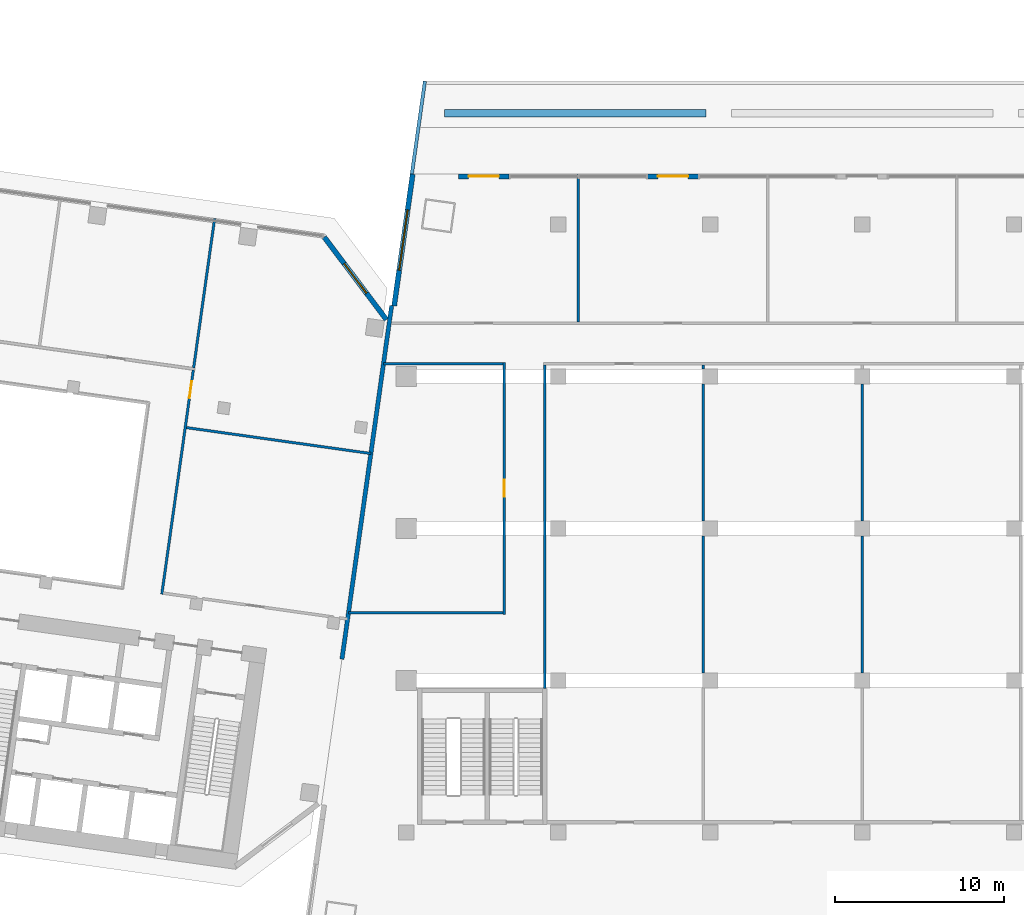
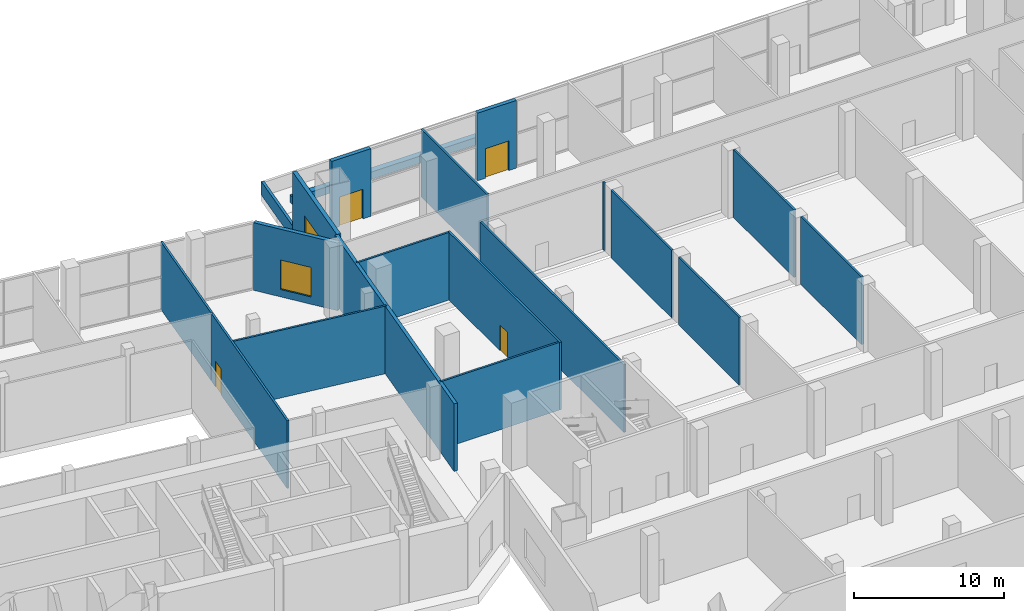
# One storey, part 13 of 24: 20 walls, 4 doors, 2 windows, 6 openings.
"""IFC4 building model written with IfcOpenShell, lengths in metres."""

from ifc_helpers import new_model, si_unit, direction, frame, frame_2d, origin, place, context, subcontext, project, spatial, rectangle, extrude, material, layer, layer_set, type_object, element, fill, save


model = new_model("IFC4")

# Units and contexts
model_context = context("Model", 3, precision=1e-05, world=origin(), true_north=direction((0.0, 1.0)))
body_context = subcontext(model_context, "Body", "Model", "MODEL_VIEW")
ifc_project = project(units=[si_unit("LENGTHUNIT", "METRE"), si_unit("AREAUNIT", "SQUARE_METRE"), si_unit("VOLUMEUNIT", "CUBIC_METRE"), si_unit("PLANEANGLEUNIT", "RADIAN"), si_unit("MASSUNIT", "GRAM", prefix="KILO")], contexts=[model_context])

# Site, building, storey
site_placement = place(None, origin())
site = spatial("IfcSite", under=ifc_project, at=site_placement, CompositionType="ELEMENT")
building_placement = place(site_placement, origin())
building = spatial("IfcBuilding", under=site, at=building_placement, Name="Mirante Cascada Hotel Towers", CompositionType="ELEMENT")
storey_placement = place(building_placement, frame((0.0, 0.0, 17.5)))
storey = spatial("IfcBuildingStorey", under=building, at=storey_placement, Name="L02", CompositionType="ELEMENT", Elevation=17.5)

# Walls
ifc_material_1 = material(Name="Masonry block", Category="masonry")
ifc_layer_1 = layer(ifc_material_1, 0.15)
ifc_layer_set_1 = layer_set([ifc_layer_1], Name="Corridor wall 150 block")
wall_type_1 = type_object("IfcWallType", Name="Corridor wall 150 block", PredefinedType="PARTITIONING", material=ifc_layer_set_1)
wall_1_placement = place(storey_placement, frame((-30.4216, -5.0, 0.0), z_axis=(0.0, 0.0, 1.0), x_axis=(1.0, 0.0, 0.0)))
element("IfcWall", 1, at=wall_1_placement, inside=storey, type_object=wall_type_1, Name="Corridor wall P L02", PredefinedType="PARTITIONING", context=body_context, shape_type="SweptSolid", body=[
    extrude(rectangle(XDim=9.1466, YDim=0.15, at=frame_2d((4.5733, 0.0))), origin(), (0.0, 0.0, 1.0), 5.5),
])
wall_2_placement = place(storey_placement, frame((-28.3486, 9.75, 0.0), z_axis=(0.0, 0.0, 1.0), x_axis=(1.0, 0.0, 0.0)))
element("IfcWall", 2, at=wall_2_placement, inside=storey, type_object=wall_type_1, Name="Corridor wall P L02", PredefinedType="PARTITIONING", context=body_context, shape_type="SweptSolid", body=[
    extrude(rectangle(XDim=7.0836, YDim=0.15, at=frame_2d((3.5418, 0.0))), origin(), (0.0, 0.0, 1.0), 5.5),
])
wall_3_placement = place(storey_placement, frame((-18.8, -9.475, 0.0), z_axis=(0.0, 0.0, 1.0), x_axis=(0.0, 1.0, 0.0)))
element("IfcWall", 3, at=wall_3_placement, inside=storey, type_object=wall_type_1, Name="Corridor wall P L02", PredefinedType="PARTITIONING", context=body_context, shape_type="SweptSolid", body=[
    extrude(rectangle(XDim=19.15, YDim=0.15, at=frame_2d((9.575, 0.0))), origin(), (0.0, 0.0, 1.0), 5.5),
])

# Wall, opening, door
wall_4_placement = place(storey_placement, frame((-21.2, -5.085, 0.0), z_axis=(0.0, 0.0, 1.0), x_axis=(0.0, 1.0, 0.0)))
wall_4 = element("IfcWall", 4, at=wall_4_placement, inside=storey, type_object=wall_type_1, Name="Corridor wall P L02", PredefinedType="PARTITIONING", context=body_context, shape_type="SweptSolid", body=[
    extrude(rectangle(XDim=14.91, YDim=0.15, at=frame_2d((7.455, 0.0))), origin(), (0.0, 0.0, 1.0), 5.5),
])
opening_1_placement = place(wall_4_placement, frame((6.96, 0.0, 0.0)))
opening_1 = element("IfcOpeningElement", 5, at=opening_1_placement, cuts=wall_4, Name="Opening DP-L02-11", PredefinedType="OPENING", context=body_context, shape_type="SweptSolid", body=[
    extrude(rectangle(XDim=1.0, YDim=2.1, at=frame_2d((0.5, 1.05))), frame((0.0, 0.075, 0.0), z_axis=(0.0, -1.0, 0.0), x_axis=(1.0, 0.0, 0.0)), (0.0, 0.0, 1.0), 0.15),
])
ifc_material_2 = material(Name="Timber door leaf", Category="wood")
door_type_1 = type_object("IfcDoorType", Name="Single door 1000x2100", OperationType="NOTDEFINED", PredefinedType="DOOR", material=ifc_material_2)
door_1_placement = place(opening_1_placement, origin())
door_1 = element("IfcDoor", 6, at=door_1_placement, inside=storey, type_object=door_type_1, Name="Door DP-L02-11", OperationType="SINGLE_SWING_LEFT", OverallHeight=2.1, OverallWidth=1.0, PredefinedType="DOOR", context=body_context, shape_type="SweptSolid", body=[
    extrude(rectangle(XDim=1.0, YDim=2.1, at=frame_2d((0.5, 1.05))), frame((0.0, 0.025, 0.0), z_axis=(0.0, -1.0, 0.0), x_axis=(1.0, 0.0, 0.0)), (0.0, 0.0, 1.0), 0.05),
])
fill(opening_1, door_1)

wall_5_placement = place(storey_placement, frame((-41.4756, -3.8964, 0.0), z_axis=(0.0, 0.0, 1.0), x_axis=(0.1391716, 0.9902683, 0.0)))
wall_5 = element("IfcWall", 7, at=wall_5_placement, inside=storey, type_object=wall_type_1, Name="Corridor wall T1 L02", PredefinedType="PARTITIONING", context=body_context, shape_type="SweptSolid", body=[
    extrude(rectangle(XDim=13.4, YDim=0.15, at=frame_2d((6.7, 0.0))), origin(), (0.0, 0.0, 1.0), 5.5),
])
opening_2_placement = place(wall_5_placement, frame((11.7325, 0.0, 0.0)))
opening_2 = element("IfcOpeningElement", 8, at=opening_2_placement, cuts=wall_5, Name="Opening DP1-L02-02", PredefinedType="OPENING", context=body_context, shape_type="SweptSolid", body=[
    extrude(rectangle(XDim=1.0, YDim=2.1, at=frame_2d((0.5, 1.05))), frame((0.0, 0.075, 0.0), z_axis=(0.0, -1.0, 0.0), x_axis=(1.0, 0.0, 0.0)), (0.0, 0.0, 1.0), 0.15),
])
door_2_placement = place(opening_2_placement, frame((1.0, 0.0, 0.0), z_axis=(0.0, 0.0, 1.0), x_axis=(-1.0, 0.0, 0.0)))
door_2 = element("IfcDoor", 9, at=door_2_placement, inside=storey, type_object=door_type_1, Name="Door DP1-L02-02", OperationType="SINGLE_SWING_RIGHT", OverallHeight=2.1, OverallWidth=1.0, PredefinedType="DOOR", context=body_context, shape_type="SweptSolid", body=[
    extrude(rectangle(XDim=1.0, YDim=2.1, at=frame_2d((0.5, 1.05))), frame((0.0, 0.025, 0.0), z_axis=(0.0, -1.0, 0.0), x_axis=(1.0, 0.0, 0.0)), (0.0, 0.0, 1.0), 0.05),
])
fill(opening_2, door_2)

# Walls
ifc_material_3 = material(Name="Masonry block", Category="masonry")
ifc_layer_2 = layer(ifc_material_3, 0.15)
ifc_layer_set_2 = layer_set([ifc_layer_2], Name="Partition 150 block")
wall_type_2 = type_object("IfcWallType", Name="Partition 150 block", PredefinedType="PARTITIONING", material=ifc_layer_set_2)
wall_6_placement = place(storey_placement, frame((-16.8068, 12.225, 0.0), z_axis=(0.0, 0.0, 1.0), x_axis=(0.0, 1.0, 0.0)))
element("IfcWall", 10, at=wall_6_placement, inside=storey, type_object=wall_type_2, Name="Partition P L02", PredefinedType="PARTITIONING", context=body_context, shape_type="SweptSolid", body=[
    extrude(rectangle(XDim=8.775, YDim=0.15, at=frame_2d((4.3875, 0.0))), origin(), (0.0, 0.0, 1.0), 5.5),
])
wall_7_placement = place(storey_placement, frame((-40.0131, 5.9711, 0.0), z_axis=(0.0, 0.0, 1.0), x_axis=(0.9902679, -0.1391746, 0.0)))
element("IfcWall", 11, at=wall_7_placement, inside=storey, type_object=wall_type_2, Name="Partition T1 L02", PredefinedType="PARTITIONING", context=body_context, shape_type="SweptSolid", body=[
    extrude(rectangle(XDim=11.025, YDim=0.15, at=frame_2d((5.5125, 0.0))), origin(), (0.0, 0.0, 1.0), 5.5),
])
wall_8_placement = place(storey_placement, frame((-39.5912, 9.5119, 0.0), z_axis=(0.0, 0.0, 1.0), x_axis=(0.1391725, 0.9902682, 0.0)))
element("IfcWall", 12, at=wall_8_placement, inside=storey, type_object=wall_type_2, Name="Partition T1 L02", PredefinedType="PARTITIONING", context=body_context, shape_type="SweptSolid", body=[
    extrude(rectangle(XDim=8.935, YDim=0.15, at=frame_2d((4.4675, 0.0))), origin(), (0.0, 0.0, 1.0), 5.5),
])
for number, where, z_axis, x_axis, name in (
    (13, (0.0, -8.55, 0.0), (0.0, 0.0, 1.0), (0.0, 1.0, 0.0), "Partition P L02"),
    (14, (0.0, 0.45, 0.0), (0.0, 0.0, 1.0), (0.0, 1.0, 0.0), "Partition P L02"),
    (15, (-9.4, -8.55, 0.0), (0.0, 0.0, 1.0), (0.0, 1.0, 0.0), "Partition P L02"),
    (16, (-9.4, 0.45, 0.0), (0.0, 0.0, 1.0), (0.0, 1.0, 0.0), "Partition P L02"),
):
    element("IfcWall", number, at=place(storey_placement, frame(where, z_axis=z_axis, x_axis=x_axis)), inside=storey, type_object=wall_type_2, Name=name, PredefinedType="PARTITIONING", context=body_context, shape_type="SweptSolid", body=[
        extrude(rectangle(XDim=8.1, YDim=0.15, at=frame_2d((4.05, 0.0))), origin(), (0.0, 0.0, 1.0), 5.5),
    ])
wall_9_placement = place(storey_placement, frame((-9.4, 9.45, 0.0), z_axis=(0.0, 0.0, 1.0), x_axis=(0.0, 1.0, 0.0)))
element("IfcWall", 17, at=wall_9_placement, inside=storey, type_object=wall_type_2, Name="Partition P L02", PredefinedType="PARTITIONING", context=body_context, shape_type="SweptSolid", body=[
    extrude(rectangle(XDim=0.225, YDim=0.15, at=frame_2d((0.1125, 0.0))), origin(), (0.0, 0.0, 1.0), 5.5),
])
ifc_material_4 = material(Name="Masonry block", Category="masonry")
ifc_layer_3 = layer(ifc_material_4, 0.25)
ifc_layer_set_3 = layer_set([ifc_layer_3], Name="Plant room wall 250 block EI 120")
wall_type_3 = type_object("IfcWallType", Name="Plant room wall 250 block EI 120", PredefinedType="PARTITIONING", material=ifc_layer_set_3)
wall_10_placement = place(storey_placement, frame((-30.8072, -7.7436, 0.0), z_axis=(0.0, 0.0, 1.0), x_axis=(0.1391722, 0.9902682, 0.0)))
element("IfcWall", 18, at=wall_10_placement, inside=storey, type_object=wall_type_3, Name="Compartment wall T1 L02", PredefinedType="PARTITIONING", context=body_context, shape_type="SweptSolid", body=[
    extrude(rectangle(XDim=21.1486, YDim=0.25, at=frame_2d((10.5743, 0.0))), origin(), (0.0, 0.0, 1.0), 5.5),
])
ifc_material_5 = material(Name="Precast concrete C40/50", Category="concrete")
ifc_layer_4 = layer(ifc_material_5, 0.45)
ifc_layer_set_4 = layer_set([ifc_layer_4], Name="Planter wall 450 concrete C40/50")
wall_type_4 = type_object("IfcWallType", Name="Planter wall 450 concrete C40/50", PredefinedType="PARAPET", material=ifc_layer_set_4)
wall_11_placement = place(storey_placement, frame((-24.7469, 24.6, 0.0), z_axis=(0.0, 0.0, 1.0), x_axis=(1.0, 0.0, 0.0)))
element("IfcWall", 19, at=wall_11_placement, inside=storey, type_object=wall_type_4, Name="PLANTER podium L01 bed 1.1", PredefinedType="PARAPET", context=body_context, shape_type="SweptSolid", body=[
    extrude(rectangle(XDim=15.4979, YDim=0.45, at=frame_2d((7.749, 0.0))), origin(), (0.0, 0.0, 1.0), 0.6),
])

# Wall, opening, window
ifc_material_6 = material(Name="Precast concrete C40/50", Category="concrete")
ifc_layer_5 = layer(ifc_material_6, 0.3)
ifc_layer_set_5 = layer_set([ifc_layer_5], Name="Precast concrete C40/50 cladding wall 300")
wall_type_5 = type_object("IfcWallType", Name="Precast concrete C40/50 cladding wall 300", PredefinedType="STANDARD", material=ifc_layer_set_5)
wall_12_placement = place(storey_placement, frame((-31.857, 17.252, 0.0), z_axis=(0.0, 0.0, 1.0), x_axis=(0.6018141, -0.7986362, 0.0)))
wall_12 = element("IfcWall", 20, at=wall_12_placement, inside=storey, type_object=wall_type_5, Name="Corner cladding wall T1 L02 front inner", PredefinedType="STANDARD", context=body_context, shape_type="SweptSolid", body=[
    extrude(rectangle(XDim=6.1157, YDim=0.3, at=frame_2d((3.0578, 0.0))), origin(), (0.0, 0.0, 1.0), 5.5),
])
opening_3_placement = place(wall_12_placement, frame((1.9578, 0.0, 0.6)))
opening_3 = element("IfcOpeningElement", 21, at=opening_3_placement, cuts=wall_12, Name="Opening W1-02-04", PredefinedType="OPENING", context=body_context, shape_type="SweptSolid", body=[
    extrude(rectangle(XDim=2.2, YDim=2.4, at=frame_2d((1.1, 1.2))), frame((0.0, 0.15, 0.0), z_axis=(0.0, -1.0, 0.0), x_axis=(1.0, 0.0, 0.0)), (0.0, 0.0, 1.0), 0.3),
])
ifc_material_7 = material(Name="Aluminium frame with clear double glazing", Category="aluminium")
window_type_1 = type_object("IfcWindowType", Name="Corner suite window 2200x2400", PartitioningType="DOUBLE_PANEL_VERTICAL", PredefinedType="WINDOW", material=ifc_material_7)
window_1_placement = place(opening_3_placement, origin())
window_1 = element("IfcWindow", 22, at=window_1_placement, inside=storey, type_object=window_type_1, Name="Window W1-02-04", OverallHeight=2.4, OverallWidth=2.2, PartitioningType="SINGLE_PANEL", PredefinedType="WINDOW", context=body_context, shape_type="SweptSolid", body=[
    extrude(rectangle(XDim=2.2, YDim=2.4, at=frame_2d((1.1, 1.2))), frame((0.0, 0.03, 0.0), z_axis=(0.0, -1.0, 0.0), x_axis=(1.0, 0.0, 0.0)), (0.0, 0.0, 1.0), 0.06),
])
fill(opening_3, window_1)

# Wall, opening, door
wall_13_placement = place(storey_placement, frame((-9.705, 20.85, 0.0), z_axis=(0.0, 0.0, 1.0), x_axis=(-1.0, 0.0, 0.0)))
wall_13 = element("IfcWall", 23, at=wall_13_placement, inside=storey, type_object=wall_type_5, Name="Entrance pier wall L02 P:L02:4:7", PredefinedType="STANDARD", context=body_context, shape_type="SweptSolid", body=[
    extrude(rectangle(XDim=3.0, YDim=0.3, at=frame_2d((1.5, 0.0))), origin(), (0.0, 0.0, 1.0), 5.5),
])
opening_4_placement = place(wall_13_placement, frame((0.6, 0.0, 0.0)))
opening_4 = element("IfcOpeningElement", 24, at=opening_4_placement, cuts=wall_13, Name="Opening DP-02-94", PredefinedType="OPENING", context=body_context, shape_type="SweptSolid", body=[
    extrude(rectangle(XDim=1.8, YDim=2.4, at=frame_2d((0.9, 1.2))), frame((0.0, 0.15, 0.0), z_axis=(0.0, -1.0, 0.0), x_axis=(1.0, 0.0, 0.0)), (0.0, 0.0, 1.0), 0.3),
])
ifc_material_8 = material(Name="Aluminium frame with clear laminated glazing", Category="aluminium")
door_type_2 = type_object("IfcDoorType", Name="Terrace double door 1800x2400", OperationType="DOUBLE_DOOR_SINGLE_SWING", PredefinedType="DOOR", material=ifc_material_8)
door_3_placement = place(opening_4_placement, origin())
door_3 = element("IfcDoor", 25, at=door_3_placement, inside=storey, type_object=door_type_2, Name="Meeting room door DP-02-94", OperationType="DOUBLE_DOOR_SINGLE_SWING", OverallHeight=2.4, OverallWidth=1.8, PredefinedType="DOOR", context=body_context, shape_type="SweptSolid", body=[
    extrude(rectangle(XDim=0.895, YDim=2.4, at=frame_2d((0.4475, 1.2))), frame((0.0, 0.025, 0.0), z_axis=(0.0, -1.0, 0.0), x_axis=(1.0, 0.0, 0.0)), (0.0, 0.0, 1.0), 0.05),
    extrude(rectangle(XDim=0.895, YDim=2.4, at=frame_2d((1.3525, 1.2))), frame((0.0, 0.025, 0.0), z_axis=(0.0, -1.0, 0.0), x_axis=(1.0, 0.0, 0.0)), (0.0, 0.0, 1.0), 0.05),
])
fill(opening_4, door_3)

wall_14_placement = place(storey_placement, frame((-20.909, 20.85, 0.0), z_axis=(0.0, 0.0, 1.0), x_axis=(-1.0, 0.0, 0.0)))
wall_14 = element("IfcWall", 26, at=wall_14_placement, inside=storey, type_object=wall_type_5, Name="Entrance pier wall L02 P:L02:4:9", PredefinedType="STANDARD", context=body_context, shape_type="SweptSolid", body=[
    extrude(rectangle(XDim=3.0, YDim=0.3, at=frame_2d((1.5, 0.0))), origin(), (0.0, 0.0, 1.0), 5.5),
])
opening_5_placement = place(wall_14_placement, frame((0.6, 0.0, 0.0)))
opening_5 = element("IfcOpeningElement", 27, at=opening_5_placement, cuts=wall_14, Name="Opening DP-02-95", PredefinedType="OPENING", context=body_context, shape_type="SweptSolid", body=[
    extrude(rectangle(XDim=1.8, YDim=2.4, at=frame_2d((0.9, 1.2))), frame((0.0, 0.15, 0.0), z_axis=(0.0, -1.0, 0.0), x_axis=(1.0, 0.0, 0.0)), (0.0, 0.0, 1.0), 0.3),
])
door_4_placement = place(opening_5_placement, origin())
door_4 = element("IfcDoor", 28, at=door_4_placement, inside=storey, type_object=door_type_2, Name="Meeting room door DP-02-95", OperationType="DOUBLE_DOOR_SINGLE_SWING", OverallHeight=2.4, OverallWidth=1.8, PredefinedType="DOOR", context=body_context, shape_type="SweptSolid", body=[
    extrude(rectangle(XDim=0.895, YDim=2.4, at=frame_2d((0.4475, 1.2))), frame((0.0, 0.025, 0.0), z_axis=(0.0, -1.0, 0.0), x_axis=(1.0, 0.0, 0.0)), (0.0, 0.0, 1.0), 0.05),
    extrude(rectangle(XDim=0.895, YDim=2.4, at=frame_2d((1.3525, 1.2))), frame((0.0, 0.025, 0.0), z_axis=(0.0, -1.0, 0.0), x_axis=(1.0, 0.0, 0.0)), (0.0, 0.0, 1.0), 0.05),
])
fill(opening_5, door_4)

# Wall, opening, window
wall_15_placement = place(storey_placement, frame((-26.6191, 20.9791, 0.0), z_axis=(0.0, 0.0, 1.0), x_axis=(-0.1391692, -0.9902686, 0.0)))
wall_15 = element("IfcWall", 29, at=wall_15_placement, inside=storey, type_object=wall_type_5, Name="Podium cladding wall L02 P:L02:5", PredefinedType="STANDARD", context=body_context, shape_type="SweptSolid", body=[
    extrude(rectangle(XDim=7.8775, YDim=0.3, at=frame_2d((3.9388, 0.0))), origin(), (0.0, 0.0, 1.0), 5.5),
])
opening_6_placement = place(wall_15_placement, frame((2.1387, 0.0, 0.9)))
opening_6 = element("IfcOpeningElement", 30, at=opening_6_placement, cuts=wall_15, Name="Opening WP-02-08", PredefinedType="OPENING", context=body_context, shape_type="SweptSolid", body=[
    extrude(rectangle(XDim=3.6, YDim=2.4, at=frame_2d((1.8, 1.2))), frame((0.0, 0.15, 0.0), z_axis=(0.0, -1.0, 0.0), x_axis=(1.0, 0.0, 0.0)), (0.0, 0.0, 1.0), 0.3),
])
ifc_material_9 = material(Name="Aluminium frame with clear double glazing", Category="aluminium")
window_type_2 = type_object("IfcWindowType", Name="Podium punched window 3600x2400", PartitioningType="DOUBLE_PANEL_VERTICAL", PredefinedType="WINDOW", material=ifc_material_9)
window_2_placement = place(opening_6_placement, origin())
window_2 = element("IfcWindow", 31, at=window_2_placement, inside=storey, type_object=window_type_2, Name="Window WP-02-08", OverallHeight=2.4, OverallWidth=3.6, PartitioningType="SINGLE_PANEL", PredefinedType="WINDOW", context=body_context, shape_type="SweptSolid", body=[
    extrude(rectangle(XDim=3.6, YDim=2.4, at=frame_2d((1.8, 1.2))), frame((0.0, 0.03, 0.0), z_axis=(0.0, -1.0, 0.0), x_axis=(1.0, 0.0, 0.0)), (0.0, 0.0, 1.0), 0.06),
])
fill(opening_6, window_2)

# Wall
ifc_material_10 = material(Name="Precast concrete C40/50", Category="concrete")
ifc_layer_6 = layer(ifc_material_10, 0.2)
ifc_layer_set_6 = layer_set([ifc_layer_6], Name="Terrace parapet wall 200 concrete C40/50")
wall_type_6 = type_object("IfcWallType", Name="Terrace parapet wall 200 concrete C40/50", PredefinedType="PARAPET", material=ifc_layer_set_6)
wall_16_placement = place(storey_placement, frame((-25.8956, 26.4861, 0.0), z_axis=(0.0, 0.0, 1.0), x_axis=(-0.1391599, -0.9902699, 0.0)))
element("IfcWall", 32, at=wall_16_placement, inside=storey, type_object=wall_type_6, Name="Terrace parapet podium L01 1.1.1", PredefinedType="PARAPET", context=body_context, shape_type="SweptSolid", body=[
    extrude(rectangle(XDim=5.554, YDim=0.2, at=frame_2d((2.777, 0.0))), origin(), (0.0, 0.0, 1.0), 1.1),
])

save(model, "model.ifc")
